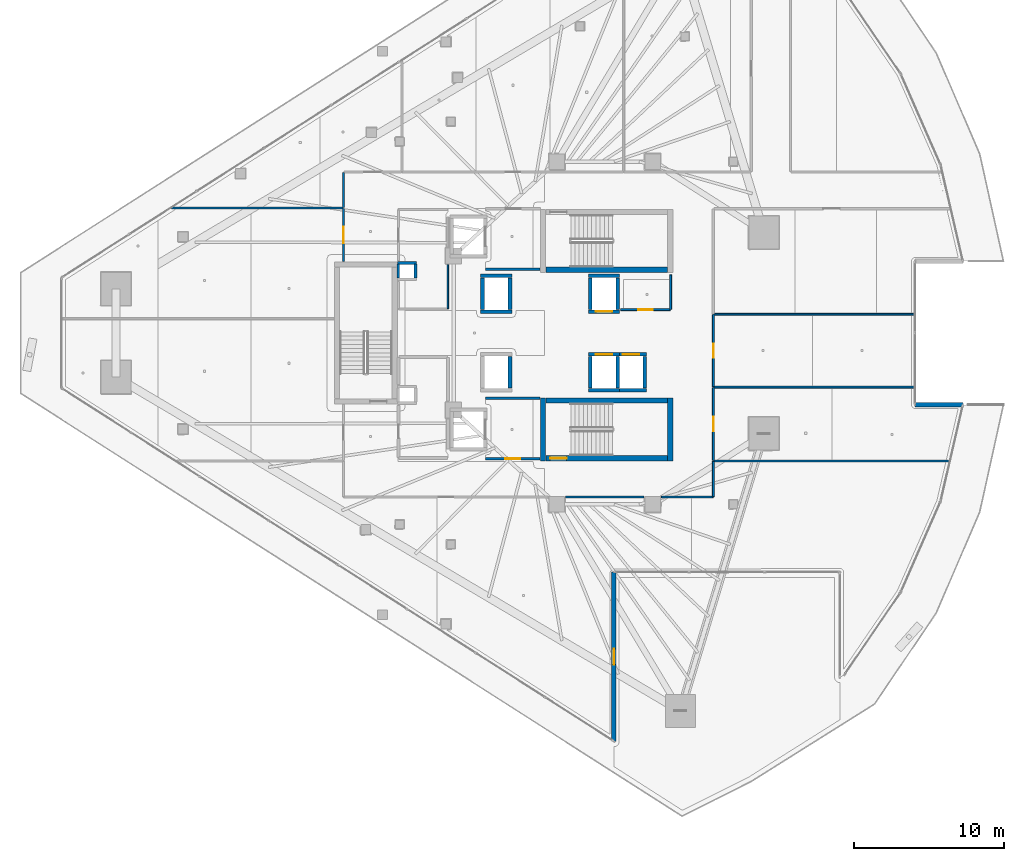
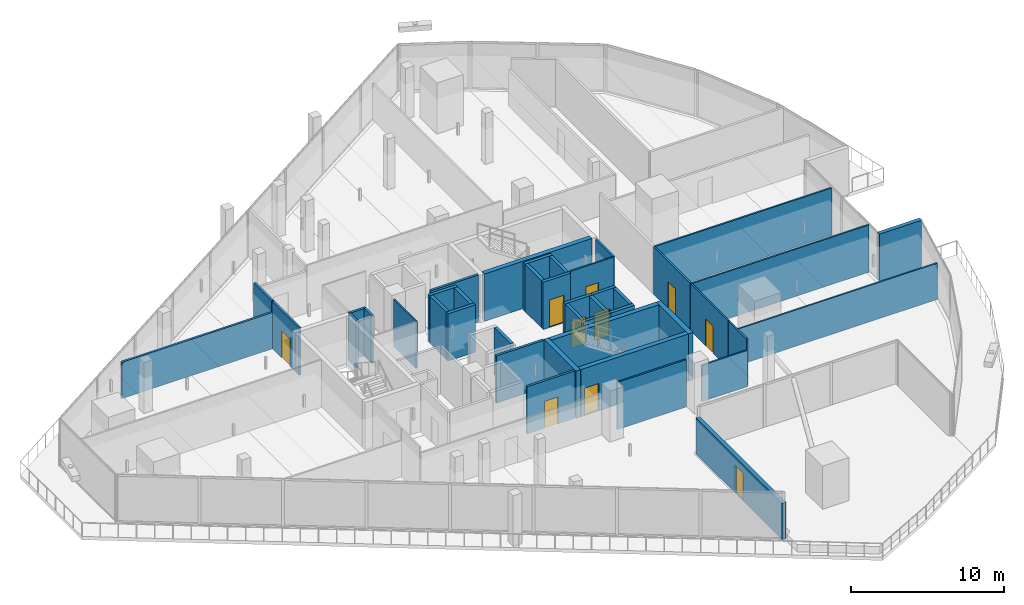
# One storey, part 27 of 39: 43 walls, 10 doors, 10 openings.
"""IFC4 building model written with IfcOpenShell, lengths in metres."""

from ifc_helpers import new_model, si_unit, direction, frame, frame_2d, origin, place, context, subcontext, project, spatial, rectangle, extrude, material, layer, layer_set, type_object, element, fill, save


model = new_model("IFC4")

# Units and contexts
model_context = context("Model", 3, precision=1e-05, world=origin(), true_north=direction((0.0, 1.0)))
body_context = subcontext(model_context, "Body", "Model", "MODEL_VIEW")
ifc_project = project(units=[si_unit("LENGTHUNIT", "METRE"), si_unit("AREAUNIT", "SQUARE_METRE"), si_unit("VOLUMEUNIT", "CUBIC_METRE"), si_unit("PLANEANGLEUNIT", "RADIAN"), si_unit("MASSUNIT", "GRAM", prefix="KILO")], contexts=[model_context])

# Site, building, storey
site_placement = place(None, origin())
site = spatial("IfcSite", under=ifc_project, at=site_placement, CompositionType="ELEMENT")
building_placement = place(site_placement, origin())
building = spatial("IfcBuilding", under=site, at=building_placement, Name="Qorvath Tower", CompositionType="ELEMENT")
storey_placement = place(building_placement, frame((0.0, 0.0, 154.35009765625)))
storey = spatial("IfcBuildingStorey", under=building, at=storey_placement, Name="L35", CompositionType="ELEMENT", Elevation=154.35009765625)

# Walls
ifc_material_1 = material(Name="Gypsum shaftliner on steel studs", Category="steel")
ifc_layer_1 = layer(ifc_material_1, 0.179931640625)
ifc_layer_set_1 = layer_set([ifc_layer_1], Name="FW-LOBBY")
wall_type_1 = type_object("IfcWallType", Name="FW-LOBBY", PredefinedType="PARTITIONING", material=ifc_layer_set_1)
wall_1_placement = place(storey_placement, frame((-34.260009765625, 4.675048828125, 0.0), z_axis=(0.0, 0.0, 1.0), x_axis=(1.0, 0.0, 0.0)))
element("IfcWall", 1, at=wall_1_placement, inside=storey, type_object=wall_type_1, Name="MEP Riser Shaft Enclosure Wall N-L35-N", PredefinedType="PARTITIONING", context=body_context, shape_type="SweptSolid", body=[
    extrude(rectangle(XDim=1.27001953125, YDim=0.179931640625, at=frame_2d((0.635009765625, 0.0))), origin(), (0.0, 0.0, 1.0), 3.77978515625),
])
for number, where, z_axis, x_axis, name in (
    (2, (-34.205078125, 3.659912109375, 0.0), (0.0, 0.0, 1.0), (0.0, 1.0, 0.0), "MEP Riser Shaft Enclosure Wall N-L35-W"),
    (3, (-33.044921875, 4.610107421875, 0.0), (0.0, 0.0, 1.0), (0.0, -1.0, 0.0), "MEP Riser Shaft Enclosure Wall N-L35-E"),
):
    element("IfcWall", number, at=place(storey_placement, frame(where, z_axis=z_axis, x_axis=x_axis)), inside=storey, type_object=wall_type_1, Name=name, PredefinedType="PARTITIONING", context=body_context, shape_type="SweptSolid", body=[
        extrude(rectangle(XDim=0.9501953125, YDim=0.179931640625, at=frame_2d((0.47509765625, 0.0))), origin(), (0.0, 0.0, 1.0), 3.77978515625),
    ])
wall_2_placement = place(storey_placement, frame((-28.35498046875, 4.25, 0.0), z_axis=(0.0, 0.0, 1.0), x_axis=(1.0, 0.0, 0.0)))
element("IfcWall", 4, at=wall_2_placement, inside=storey, type_object=wall_type_1, Name="Interior Partition IW-T1-L35-001", PredefinedType="PARTITIONING", context=body_context, shape_type="SweptSolid", body=[
    extrude(rectangle(XDim=3.6220703125, YDim=0.179931640625, at=frame_2d((1.81103515625, 0.0))), origin(), (0.0, 0.0, 1.0), 3.77978515625),
])

# Wall, opening, door
wall_3_placement = place(storey_placement, frame((-28.35498046875, -8.39990234375, 0.0), z_axis=(0.0, 0.0, 1.0), x_axis=(1.0, 0.0, 0.0)))
wall_3 = element("IfcWall", 5, at=wall_3_placement, inside=storey, type_object=wall_type_1, Name="Interior Partition IW-T1-L35-003", PredefinedType="PARTITIONING", context=body_context, shape_type="SweptSolid", body=[
    extrude(rectangle(XDim=3.6220703125, YDim=0.179931640625, at=frame_2d((1.81103515625, 0.0))), origin(), (0.0, 0.0, 1.0), 3.77978515625),
])
opening_1_placement = place(wall_3_placement, frame((1.31103515625, 0.0, 0.0)))
opening_1 = element("IfcOpeningElement", 6, at=opening_1_placement, cuts=wall_3, Name="Opening D-T1-L35-14", PredefinedType="OPENING", context=body_context, shape_type="SweptSolid", body=[
    extrude(rectangle(XDim=1.0, YDim=2.14990234375, at=frame_2d((0.5, 1.074951171875))), frame((0.0, 0.10009765625, 0.0), z_axis=(0.0, -1.0, 0.0), x_axis=(1.0, 0.0, 0.0)), (0.0, 0.0, 1.0), 0.199951171875),
])
ifc_material_2 = material(Name="Painted galvanised hollow metal", Category="steel")
door_type_1 = type_object("IfcDoorType", Name="FD-60", OperationType="NOTDEFINED", PredefinedType="DOOR", material=ifc_material_2)
door_1_placement = place(opening_1_placement, origin())
door_1 = element("IfcDoor", 7, at=door_1_placement, inside=storey, type_object=door_type_1, Name="Lobby Fire Service Elevator South Door D-T1-L35-14", OperationType="SINGLE_SWING_LEFT", OverallHeight=2.14990234375, OverallWidth=1.0, PredefinedType="DOOR", context=body_context, shape_type="SweptSolid", body=[
    extrude(rectangle(XDim=1.0, YDim=2.14990234375, at=frame_2d((0.5, 1.074951171875))), frame((0.0, 0.02490234375, 0.0), z_axis=(0.0, -1.0, 0.0), x_axis=(1.0, 0.0, 0.0)), (0.0, 0.0, 1.0), 0.050048828125),
])
fill(opening_1, door_1)

# Walls
wall_4_placement = place(storey_placement, frame((-24.73291015625, -4.35009765625, 0.0), z_axis=(0.0, 0.0, 1.0), x_axis=(-1.0, 0.0, 0.0)))
element("IfcWall", 8, at=wall_4_placement, inside=storey, type_object=wall_type_1, Name="Interior Partition IW-T1-L35-004", PredefinedType="PARTITIONING", context=body_context, shape_type="SweptSolid", body=[
    extrude(rectangle(XDim=3.6220703125, YDim=0.179931640625, at=frame_2d((1.81103515625, 0.0))), origin(), (0.0, 0.0, 1.0), 3.77978515625),
])
ifc_material_3 = material(Name="Double acoustic gypsum board on steel studs", Category="steel")
ifc_layer_2 = layer(ifc_material_3, 0.159912109375)
ifc_layer_set_2 = layer_set([ifc_layer_2], Name="IW-ACOUSTIC-160")
wall_type_2 = type_object("IfcWallType", Name="IW-ACOUSTIC-160", PredefinedType="PARTITIONING", material=ifc_layer_set_2)
wall_5_placement = place(storey_placement, frame((-49.333251953125, 8.35009765625, 0.0), z_axis=(0.0, 0.0, 1.0), x_axis=(1.0, 0.0, 0.0)))
element("IfcWall", 9, at=wall_5_placement, inside=storey, type_object=wall_type_2, Name="Interior Partition IW-T1-L35-019", PredefinedType="PARTITIONING", context=body_context, shape_type="SweptSolid", body=[
    extrude(rectangle(XDim=11.450439453125, YDim=0.159912109375, at=frame_2d((5.72509765625, 0.0))), origin(), (0.0, 0.0, 1.0), 2.899658203125),
])
wall_6_placement = place(storey_placement, frame((-37.85791015625, 8.375, 0.0), z_axis=(0.0, 0.0, 1.0), x_axis=(0.0, 1.0, 0.0)))
element("IfcWall", 10, at=wall_6_placement, inside=storey, type_object=wall_type_2, Name="Interior Partition IW-T1-L35-020", PredefinedType="PARTITIONING", context=body_context, shape_type="SweptSolid", body=[
    extrude(rectangle(XDim=2.358154296875, YDim=0.159912109375, at=frame_2d((1.17919921875, 0.0))), origin(), (0.0, 0.0, 1.0), 3.77978515625),
])

# Wall, opening, door
wall_7_placement = place(storey_placement, frame((-37.85791015625, 4.783203125, 0.0), z_axis=(0.0, 0.0, 1.0), x_axis=(0.0, 1.0, 0.0)))
wall_7 = element("IfcWall", 11, at=wall_7_placement, inside=storey, type_object=wall_type_2, Name="Interior Partition IW-T1-L35-046", PredefinedType="PARTITIONING", context=body_context, shape_type="SweptSolid", body=[
    extrude(rectangle(XDim=3.53369140625, YDim=0.159912109375, at=frame_2d((1.766845703125, 0.0))), origin(), (0.0, 0.0, 1.0), 3.77978515625),
])
opening_2_placement = place(wall_7_placement, frame((1.216796875, 0.0, 0.0)))
opening_2 = element("IfcOpeningElement", 12, at=opening_2_placement, cuts=wall_7, Name="Opening D-T1-L35-12", PredefinedType="OPENING", context=body_context, shape_type="SweptSolid", body=[
    extrude(rectangle(XDim=1.10009765625, YDim=2.14990234375, at=frame_2d((0.550048828125, 1.074951171875))), frame((0.0, 0.08984375, 0.0), z_axis=(0.0, -1.0, 0.0), x_axis=(1.0, 0.0, 0.0)), (0.0, 0.0, 1.0), 0.179931640625),
])
ifc_material_4 = material(Name="Anodised aluminium acoustic framed glass", Category="aluminium")
door_type_2 = type_object("IfcDoorType", Name="D-03", OperationType="NOTDEFINED", PredefinedType="DOOR", material=ifc_material_4)
door_2_placement = place(opening_2_placement, origin())
door_2 = element("IfcDoor", 13, at=door_2_placement, inside=storey, type_object=door_type_2, Name="L35-09 Team Project Office Door D-T1-L35-12", OperationType="SINGLE_SWING_LEFT", OverallHeight=2.14990234375, OverallWidth=1.10009765625, PredefinedType="DOOR", context=body_context, shape_type="SweptSolid", body=[
    extrude(rectangle(XDim=1.10009765625, YDim=2.14990234375, at=frame_2d((0.550048828125, 1.074951171875))), frame((0.0, 0.02490234375, 0.0), z_axis=(0.0, -1.0, 0.0), x_axis=(1.0, 0.0, 0.0)), (0.0, 0.0, 1.0), 0.050048828125),
])
fill(opening_2, door_2)

ifc_material_5 = material(Name="Gypsum board on metal studs with mineral wool", Category="gypsum")
ifc_layer_3 = layer(ifc_material_5, 0.125)
ifc_layer_set_3 = layer_set([ifc_layer_3], Name="IW-PART-125")
wall_type_3 = type_object("IfcWallType", Name="IW-PART-125", PredefinedType="PARTITIONING", material=ifc_layer_set_3)
wall_8_placement = place(storey_placement, frame((-19.333740234375, 1.56005859375, 0.0), z_axis=(0.0, 0.0, 1.0), x_axis=(1.0, 0.0, 0.0)))
wall_8 = element("IfcWall", 14, at=wall_8_placement, inside=storey, type_object=wall_type_3, Name="Interior Partition IW-T1-L35-011", PredefinedType="PARTITIONING", context=body_context, shape_type="SweptSolid", body=[
    extrude(rectangle(XDim=3.308837890625, YDim=0.125, at=frame_2d((1.654296875, 0.0))), origin(), (0.0, 0.0, 1.0), 3.77978515625),
])
opening_3_placement = place(wall_8_placement, frame((1.179443359375, 0.0, 0.0)))
opening_3 = element("IfcOpeningElement", 15, at=opening_3_placement, cuts=wall_8, Name="Opening D-T1-L35-02", PredefinedType="OPENING", context=body_context, shape_type="SweptSolid", body=[
    extrude(rectangle(XDim=0.949951171875, YDim=2.14990234375, at=frame_2d((0.47509765625, 1.074951171875))), frame((0.0, 0.072509765625, 0.0), z_axis=(0.0, -1.0, 0.0), x_axis=(1.0, 0.0, 0.0)), (0.0, 0.0, 1.0), 0.14501953125),
])
ifc_material_6 = material(Name="Solid-core American white oak veneer", Category="wood")
door_type_3 = type_object("IfcDoorType", Name="D-01", OperationType="NOTDEFINED", PredefinedType="DOOR", material=ifc_material_6)
door_3_placement = place(opening_3_placement, origin())
door_3 = element("IfcDoor", 16, at=door_3_placement, inside=storey, type_object=door_type_3, Name="L35-RCN North Staff Refreshment Pantry Door D-T1-L35-02", OperationType="SINGLE_SWING_LEFT", OverallHeight=2.14990234375, OverallWidth=0.949951171875, PredefinedType="DOOR", context=body_context, shape_type="SweptSolid", body=[
    extrude(rectangle(XDim=0.949951171875, YDim=2.14990234375, at=frame_2d((0.47509765625, 1.074951171875))), frame((0.0, 0.02490234375, 0.0), z_axis=(0.0, -1.0, 0.0), x_axis=(1.0, 0.0, 0.0)), (0.0, 0.0, 1.0), 0.050048828125),
])
fill(opening_3, door_3)

# Walls
wall_9_placement = place(storey_placement, frame((-16.0, 1.585205078125, 0.0), z_axis=(0.0, 0.0, 1.0), x_axis=(0.0, 1.0, 0.0)))
element("IfcWall", 17, at=wall_9_placement, inside=storey, type_object=wall_type_3, Name="Interior Partition IW-T1-L35-012", PredefinedType="PARTITIONING", context=body_context, shape_type="SweptSolid", body=[
    extrude(rectangle(XDim=2.30224609375, YDim=0.125, at=frame_2d((1.151123046875, 0.0))), origin(), (0.0, 0.0, 1.0), 3.77978515625),
])
wall_10_placement = place(storey_placement, frame((2.5869140625, -8.550048828125, 0.0), z_axis=(0.0, 0.0, 1.0), x_axis=(-1.0, 0.0, 0.0)))
element("IfcWall", 18, at=wall_10_placement, inside=storey, type_object=wall_type_3, Name="Interior Partition IW-T1-L35-031", PredefinedType="PARTITIONING", context=body_context, shape_type="SweptSolid", body=[
    extrude(rectangle(XDim=15.7041015625, YDim=0.125, at=frame_2d((7.85205078125, 0.0))), origin(), (0.0, 0.0, 1.0), 2.894775390625),
])
wall_11_placement = place(storey_placement, frame((-13.14208984375, -10.93310546875, 0.0), z_axis=(0.0, 0.0, 1.0), x_axis=(0.0, 1.0, 0.0)))
element("IfcWall", 19, at=wall_11_placement, inside=storey, type_object=wall_type_3, Name="Interior Partition IW-T1-L35-032", PredefinedType="PARTITIONING", context=body_context, shape_type="SweptSolid", body=[
    extrude(rectangle(XDim=2.358154296875, YDim=0.125, at=frame_2d((1.17919921875, 0.0))), origin(), (0.0, 0.0, 1.0), 3.77978515625),
])
wall_12_placement = place(storey_placement, frame((-13.1669921875, -10.9580078125, 0.0), z_axis=(0.0, 0.0, 1.0), x_axis=(-1.0, 0.0, 0.0)))
element("IfcWall", 20, at=wall_12_placement, inside=storey, type_object=wall_type_3, Name="Interior Partition IW-T1-L35-033", PredefinedType="PARTITIONING", context=body_context, shape_type="SweptSolid", body=[
    extrude(rectangle(XDim=3.443115234375, YDim=0.125, at=frame_2d((1.7216796875, 0.0))), origin(), (0.0, 0.0, 1.0), 2.894775390625),
])
wall_13_placement = place(storey_placement, frame((-17.7900390625, -10.9580078125, 0.0), z_axis=(0.0, 0.0, 1.0), x_axis=(-1.0, 0.0, 0.0)))
element("IfcWall", 21, at=wall_13_placement, inside=storey, type_object=wall_type_3, Name="Interior Partition IW-T1-L35-034", PredefinedType="PARTITIONING", context=body_context, shape_type="SweptSolid", body=[
    extrude(rectangle(XDim=5.219970703125, YDim=0.125, at=frame_2d((2.60986328125, 0.0))), origin(), (0.0, 0.0, 1.0), 3.77978515625),
])
wall_14_placement = place(storey_placement, frame((0.259765625, -3.618896484375, 0.0), z_axis=(0.0, 0.0, 1.0), x_axis=(-1.0, 0.0, 0.0)))
element("IfcWall", 22, at=wall_14_placement, inside=storey, type_object=wall_type_3, Name="Interior Partition IW-T1-L35-038", PredefinedType="PARTITIONING", context=body_context, shape_type="SweptSolid", body=[
    extrude(rectangle(XDim=13.376953125, YDim=0.125, at=frame_2d((6.6884765625, 0.0))), origin(), (0.0, 0.0, 1.0), 3.77978515625),
])

# Wall, opening, door
wall_15_placement = place(storey_placement, frame((-13.14208984375, -3.643798828125, 0.0), z_axis=(0.0, 0.0, 1.0), x_axis=(0.0, -1.0, 0.0)))
wall_15 = element("IfcWall", 23, at=wall_15_placement, inside=storey, type_object=wall_type_3, Name="Interior Partition IW-T1-L35-039", PredefinedType="PARTITIONING", context=body_context, shape_type="SweptSolid", body=[
    extrude(rectangle(XDim=4.873291015625, YDim=0.125, at=frame_2d((2.4365234375, 0.0))), origin(), (0.0, 0.0, 1.0), 3.77978515625),
])
opening_4_placement = place(wall_15_placement, frame((1.961669921875, 0.0, 0.0)))
opening_4 = element("IfcOpeningElement", 24, at=opening_4_placement, cuts=wall_15, Name="Opening D-T1-L35-08", PredefinedType="OPENING", context=body_context, shape_type="SweptSolid", body=[
    extrude(rectangle(XDim=0.949951171875, YDim=2.14990234375, at=frame_2d((0.47509765625, 1.074951171875))), frame((0.0, 0.072509765625, 0.0), z_axis=(0.0, -1.0, 0.0), x_axis=(1.0, 0.0, 0.0)), (0.0, 0.0, 1.0), 0.14501953125),
])
door_4_placement = place(opening_4_placement, origin())
door_4 = element("IfcDoor", 25, at=door_4_placement, inside=storey, type_object=door_type_3, Name="L35-05 Executive Partner Office Door D-T1-L35-08", OperationType="SINGLE_SWING_LEFT", OverallHeight=2.14990234375, OverallWidth=0.949951171875, PredefinedType="DOOR", context=body_context, shape_type="SweptSolid", body=[
    extrude(rectangle(XDim=0.949951171875, YDim=2.14990234375, at=frame_2d((0.47509765625, 1.074951171875))), frame((0.0, 0.02490234375, 0.0), z_axis=(0.0, -1.0, 0.0), x_axis=(1.0, 0.0, 0.0)), (0.0, 0.0, 1.0), 0.050048828125),
])
fill(opening_4, door_4)

wall_16_placement = place(storey_placement, frame((-13.14208984375, 1.227294921875, 0.0), z_axis=(0.0, 0.0, 1.0), x_axis=(0.0, -1.0, 0.0)))
wall_16 = element("IfcWall", 26, at=wall_16_placement, inside=storey, type_object=wall_type_3, Name="Interior Partition IW-T1-L35-040", PredefinedType="PARTITIONING", context=body_context, shape_type="SweptSolid", body=[
    extrude(rectangle(XDim=4.81298828125, YDim=0.125, at=frame_2d((2.406494140625, 0.0))), origin(), (0.0, 0.0, 1.0), 3.77978515625),
])
opening_5_placement = place(wall_16_placement, frame((1.931396484375, 0.0, 0.0)))
opening_5 = element("IfcOpeningElement", 27, at=opening_5_placement, cuts=wall_16, Name="Opening D-T1-L35-09", PredefinedType="OPENING", context=body_context, shape_type="SweptSolid", body=[
    extrude(rectangle(XDim=0.949951171875, YDim=2.14990234375, at=frame_2d((0.47509765625, 1.074951171875))), frame((0.0, 0.072509765625, 0.0), z_axis=(0.0, -1.0, 0.0), x_axis=(1.0, 0.0, 0.0)), (0.0, 0.0, 1.0), 0.14501953125),
])
door_5_placement = place(opening_5_placement, origin())
door_5 = element("IfcDoor", 28, at=door_5_placement, inside=storey, type_object=door_type_3, Name="L35-06 Breakout Reading Alcove Door D-T1-L35-09", OperationType="SINGLE_SWING_RIGHT", OverallHeight=2.14990234375, OverallWidth=0.949951171875, PredefinedType="DOOR", context=body_context, shape_type="SweptSolid", body=[
    extrude(rectangle(XDim=0.949951171875, YDim=2.14990234375, at=frame_2d((0.47509765625, 1.074951171875))), frame((0.0, 0.02490234375, 0.0), z_axis=(0.0, -1.0, 0.0), x_axis=(1.0, 0.0, 0.0)), (0.0, 0.0, 1.0), 0.050048828125),
])
fill(opening_5, door_5)

# Walls
wall_17_placement = place(storey_placement, frame((0.259765625, 1.25244140625, 0.0), z_axis=(0.0, 0.0, 1.0), x_axis=(-1.0, 0.0, 0.0)))
element("IfcWall", 29, at=wall_17_placement, inside=storey, type_object=wall_type_3, Name="Interior Partition IW-T1-L35-041", PredefinedType="PARTITIONING", context=body_context, shape_type="SweptSolid", body=[
    extrude(rectangle(XDim=13.376953125, YDim=0.125, at=frame_2d((6.6884765625, 0.0))), origin(), (0.0, 0.0, 1.0), 3.77978515625),
])
ifc_material_7 = material(Name="Moisture-resistant cement board on metal studs", Category="gypsum")
ifc_layer_4 = layer(ifc_material_7, 0.110107421875)
ifc_layer_set_4 = layer_set([ifc_layer_4], Name="IW-WC-110")
wall_type_4 = type_object("IfcWallType", Name="IW-WC-110", PredefinedType="PARTITIONING", material=ifc_layer_set_4)
wall_18_placement = place(storey_placement, frame((-30.8798828125, 1.625, 0.0), z_axis=(0.0, 0.0, 1.0), x_axis=(0.0, 1.0, 0.0)))
element("IfcWall", 30, at=wall_18_placement, inside=storey, type_object=wall_type_4, Name="Interior Partition IW-T1-L35-006", PredefinedType="PARTITIONING", context=body_context, shape_type="SweptSolid", body=[
    extrude(rectangle(XDim=2.93505859375, YDim=0.110107421875, at=frame_2d((1.467529296875, 0.0))), origin(), (0.0, 0.0, 1.0), 3.77978515625),
])
ifc_material_8 = material(Name="Concrete C60/75", Category="concrete")
ifc_layer_5 = layer(ifc_material_8, 0.260009765625)
ifc_layer_set_5 = layer_set([ifc_layer_5], Name="SW-SHAFT")
wall_type_5 = type_object("IfcWallType", Name="SW-SHAFT", PredefinedType="SHEAR", material=ifc_layer_set_5)
for number, where, z_axis, x_axis, name in (
    (31, (-26.610107421875, 1.429931640625, 0.0), (0.0, 0.0, 1.0), (-1.0, 0.0, 0.0), "Hoistway Wall PS-1 L35 S"),
    (32, (-28.68994140625, 3.820068359375, 0.0), (0.0, 0.0, 1.0), (1.0, 0.0, 0.0), "Hoistway Wall PS-1 L35 N"),
):
    element("IfcWall", number, at=place(storey_placement, frame(where, z_axis=z_axis, x_axis=x_axis)), inside=storey, type_object=wall_type_5, Name=name, PredefinedType="SHEAR", context=body_context, shape_type="SweptSolid", body=[
        extrude(rectangle(XDim=2.079833984375, YDim=0.239990234375, at=frame_2d((1.0400390625, 0.0))), origin(), (0.0, 0.0, 1.0), 3.77978515625),
    ])
for number, where, z_axis, x_axis, name in (
    (33, (-28.570068359375, 1.56201171875, 0.0), (0.0, 0.0, 1.0), (0.0, 1.0, 0.0), "Hoistway Wall PS-1 L35 W"),
    (34, (-26.72998046875, 3.68798828125, 0.0), (0.0, 0.0, 1.0), (0.0, -1.0, 0.0), "Hoistway Wall PS-1 L35 E"),
):
    element("IfcWall", number, at=place(storey_placement, frame(where, z_axis=z_axis, x_axis=x_axis)), inside=storey, type_object=wall_type_5, Name=name, PredefinedType="SHEAR", context=body_context, shape_type="SweptSolid", body=[
        extrude(rectangle(XDim=2.1259765625, YDim=0.239990234375, at=frame_2d((1.06298828125, 0.0))), origin(), (0.0, 0.0, 1.0), 3.77978515625),
    ])

# Wall, opening, door
wall_19_placement = place(storey_placement, frame((-19.409912109375, 1.429931640625, 0.0), z_axis=(0.0, 0.0, 1.0), x_axis=(-1.0, 0.0, 0.0)))
wall_19 = element("IfcWall", 35, at=wall_19_placement, inside=storey, type_object=wall_type_5, Name="Hoistway Wall PM-1 L35 S", PredefinedType="SHEAR", context=body_context, shape_type="SweptSolid", body=[
    extrude(rectangle(XDim=2.080078125, YDim=0.239990234375, at=frame_2d((1.0400390625, 0.0))), origin(), (0.0, 0.0, 1.0), 3.77978515625),
])
opening_6_placement = place(wall_19_placement, frame((0.489990234375, 0.0, 0.0)))
opening_6 = element("IfcOpeningElement", 36, at=opening_6_placement, cuts=wall_19, Name="Opening LD-PM-1-L35", PredefinedType="OPENING", context=body_context, shape_type="SweptSolid", body=[
    extrude(rectangle(XDim=1.10009765625, YDim=2.199951171875, at=frame_2d((0.550048828125, 1.10009765625))), frame((0.0, 0.1298828125, 0.0), z_axis=(0.0, -1.0, 0.0), x_axis=(1.0, 0.0, 0.0)), (0.0, 0.0, 1.0), 0.260009765625),
])
ifc_material_9 = material(Name="Brushed stainless steel AISI 316", Category="steel")
door_type_4 = type_object("IfcDoorType", Name="LD-01", OperationType="NOTDEFINED", PredefinedType="DOOR", material=ifc_material_9)
door_6_placement = place(opening_6_placement, origin())
door_6 = element("IfcDoor", 37, at=door_6_placement, inside=storey, type_object=door_type_4, Name="Elevator Landing Sliding Door LD-PM-1-L35", OperationType="DOUBLE_DOOR_SLIDING", OverallHeight=2.199951171875, OverallWidth=1.10009765625, PredefinedType="DOOR", context=body_context, shape_type="SweptSolid", body=[
    extrude(rectangle(XDim=1.10009765625, YDim=2.199951171875, at=frame_2d((0.550048828125, 1.10009765625))), frame((0.0, 0.02490234375, 0.0), z_axis=(0.0, -1.0, 0.0), x_axis=(1.0, 0.0, 0.0)), (0.0, 0.0, 1.0), 0.050048828125),
])
fill(opening_6, door_6)

# Walls
wall_20_placement = place(storey_placement, frame((-21.489990234375, 3.820068359375, 0.0), z_axis=(0.0, 0.0, 1.0), x_axis=(1.0, 0.0, 0.0)))
element("IfcWall", 38, at=wall_20_placement, inside=storey, type_object=wall_type_5, Name="Hoistway Wall PM-1 L35 N", PredefinedType="SHEAR", context=body_context, shape_type="SweptSolid", body=[
    extrude(rectangle(XDim=2.080078125, YDim=0.239990234375, at=frame_2d((1.0400390625, 0.0))), origin(), (0.0, 0.0, 1.0), 3.77978515625),
])
for number, where, z_axis, x_axis, name in (
    (39, (-21.3701171875, 1.56201171875, 0.0), (0.0, 0.0, 1.0), (0.0, 1.0, 0.0), "Hoistway Wall PM-1 L35 W"),
    (40, (-19.530029296875, 3.68798828125, 0.0), (0.0, 0.0, 1.0), (0.0, -1.0, 0.0), "Hoistway Wall PM-1 L35 E"),
    (41, (-26.72998046875, -1.56201171875, 0.0), (0.0, 0.0, 1.0), (0.0, -1.0, 0.0), "Hoistway Wall PS-2 L35 E"),
):
    element("IfcWall", number, at=place(storey_placement, frame(where, z_axis=z_axis, x_axis=x_axis)), inside=storey, type_object=wall_type_5, Name=name, PredefinedType="SHEAR", context=body_context, shape_type="SweptSolid", body=[
        extrude(rectangle(XDim=2.1259765625, YDim=0.239990234375, at=frame_2d((1.06298828125, 0.0))), origin(), (0.0, 0.0, 1.0), 3.77978515625),
    ])
wall_21_placement = place(storey_placement, frame((-19.409912109375, -3.820068359375, 0.0), z_axis=(0.0, 0.0, 1.0), x_axis=(-1.0, 0.0, 0.0)))
element("IfcWall", 42, at=wall_21_placement, inside=storey, type_object=wall_type_5, Name="Hoistway Wall PM-2 L35 S", PredefinedType="SHEAR", context=body_context, shape_type="SweptSolid", body=[
    extrude(rectangle(XDim=2.080078125, YDim=0.239990234375, at=frame_2d((1.0400390625, 0.0))), origin(), (0.0, 0.0, 1.0), 3.77978515625),
])

# Wall, opening, door
wall_22_placement = place(storey_placement, frame((-21.489990234375, -1.429931640625, 0.0), z_axis=(0.0, 0.0, 1.0), x_axis=(1.0, 0.0, 0.0)))
wall_22 = element("IfcWall", 43, at=wall_22_placement, inside=storey, type_object=wall_type_5, Name="Hoistway Wall PM-2 L35 N", PredefinedType="SHEAR", context=body_context, shape_type="SweptSolid", body=[
    extrude(rectangle(XDim=2.080078125, YDim=0.239990234375, at=frame_2d((1.0400390625, 0.0))), origin(), (0.0, 0.0, 1.0), 3.77978515625),
])
opening_7_placement = place(wall_22_placement, frame((0.489990234375, 0.0, 0.0)))
opening_7 = element("IfcOpeningElement", 44, at=opening_7_placement, cuts=wall_22, Name="Opening LD-PM-2-L35", PredefinedType="OPENING", context=body_context, shape_type="SweptSolid", body=[
    extrude(rectangle(XDim=1.10009765625, YDim=2.199951171875, at=frame_2d((0.550048828125, 1.10009765625))), frame((0.0, 0.1298828125, 0.0), z_axis=(0.0, -1.0, 0.0), x_axis=(1.0, 0.0, 0.0)), (0.0, 0.0, 1.0), 0.260009765625),
])
door_7_placement = place(opening_7_placement, origin())
door_7 = element("IfcDoor", 45, at=door_7_placement, inside=storey, type_object=door_type_4, Name="Elevator Landing Sliding Door LD-PM-2-L35", OperationType="DOUBLE_DOOR_SLIDING", OverallHeight=2.199951171875, OverallWidth=1.10009765625, PredefinedType="DOOR", context=body_context, shape_type="SweptSolid", body=[
    extrude(rectangle(XDim=1.10009765625, YDim=2.199951171875, at=frame_2d((0.550048828125, 1.10009765625))), frame((0.0, 0.02490234375, 0.0), z_axis=(0.0, -1.0, 0.0), x_axis=(1.0, 0.0, 0.0)), (0.0, 0.0, 1.0), 0.050048828125),
])
fill(opening_7, door_7)

# Walls
for number, where, z_axis, x_axis, name in (
    (46, (-21.3701171875, -3.68798828125, 0.0), (0.0, 0.0, 1.0), (0.0, 1.0, 0.0), "Hoistway Wall PM-2 L35 W"),
    (47, (-19.530029296875, -1.56201171875, 0.0), (0.0, 0.0, 1.0), (0.0, -1.0, 0.0), "Hoistway Wall PM-2 L35 E"),
):
    element("IfcWall", number, at=place(storey_placement, frame(where, z_axis=z_axis, x_axis=x_axis)), inside=storey, type_object=wall_type_5, Name=name, PredefinedType="SHEAR", context=body_context, shape_type="SweptSolid", body=[
        extrude(rectangle(XDim=2.1259765625, YDim=0.239990234375, at=frame_2d((1.06298828125, 0.0))), origin(), (0.0, 0.0, 1.0), 3.77978515625),
    ])
wall_23_placement = place(storey_placement, frame((-17.610107421875, -3.820068359375, 0.0), z_axis=(0.0, 0.0, 1.0), x_axis=(-1.0, 0.0, 0.0)))
element("IfcWall", 48, at=wall_23_placement, inside=storey, type_object=wall_type_5, Name="Hoistway Wall PM-3 L35 S", PredefinedType="SHEAR", context=body_context, shape_type="SweptSolid", body=[
    extrude(rectangle(XDim=1.7998046875, YDim=0.239990234375, at=frame_2d((0.89990234375, 0.0))), origin(), (0.0, 0.0, 1.0), 3.77978515625),
])

# Wall, opening, door
wall_24_placement = place(storey_placement, frame((-19.409912109375, -1.429931640625, 0.0), z_axis=(0.0, 0.0, 1.0), x_axis=(1.0, 0.0, 0.0)))
wall_24 = element("IfcWall", 49, at=wall_24_placement, inside=storey, type_object=wall_type_5, Name="Hoistway Wall PM-3 L35 N", PredefinedType="SHEAR", context=body_context, shape_type="SweptSolid", body=[
    extrude(rectangle(XDim=1.7998046875, YDim=0.239990234375, at=frame_2d((0.89990234375, 0.0))), origin(), (0.0, 0.0, 1.0), 3.77978515625),
])
opening_8_placement = place(wall_24_placement, frame((0.2099609375, 0.0, 0.0)))
opening_8 = element("IfcOpeningElement", 50, at=opening_8_placement, cuts=wall_24, Name="Opening LD-PM-3-L35", PredefinedType="OPENING", context=body_context, shape_type="SweptSolid", body=[
    extrude(rectangle(XDim=1.10009765625, YDim=2.199951171875, at=frame_2d((0.550048828125, 1.10009765625))), frame((0.0, 0.1298828125, 0.0), z_axis=(0.0, -1.0, 0.0), x_axis=(1.0, 0.0, 0.0)), (0.0, 0.0, 1.0), 0.260009765625),
])
door_8_placement = place(opening_8_placement, origin())
door_8 = element("IfcDoor", 51, at=door_8_placement, inside=storey, type_object=door_type_4, Name="Elevator Landing Sliding Door LD-PM-3-L35", OperationType="DOUBLE_DOOR_SLIDING", OverallHeight=2.199951171875, OverallWidth=1.10009765625, PredefinedType="DOOR", context=body_context, shape_type="SweptSolid", body=[
    extrude(rectangle(XDim=1.10009765625, YDim=2.199951171875, at=frame_2d((0.550048828125, 1.10009765625))), frame((0.0, 0.02490234375, 0.0), z_axis=(0.0, -1.0, 0.0), x_axis=(1.0, 0.0, 0.0)), (0.0, 0.0, 1.0), 0.050048828125),
])
fill(opening_8, door_8)

# Walls
wall_25_placement = place(storey_placement, frame((-17.72998046875, -1.56201171875, 0.0), z_axis=(0.0, 0.0, 1.0), x_axis=(0.0, -1.0, 0.0)))
element("IfcWall", 52, at=wall_25_placement, inside=storey, type_object=wall_type_5, Name="Hoistway Wall PM-3 L35 E", PredefinedType="SHEAR", context=body_context, shape_type="SweptSolid", body=[
    extrude(rectangle(XDim=2.1259765625, YDim=0.239990234375, at=frame_2d((1.06298828125, 0.0))), origin(), (0.0, 0.0, 1.0), 3.77978515625),
])
ifc_material_10 = material(Name="Concrete C60/75", Category="concrete")
ifc_layer_6 = layer(ifc_material_10, 0.35009765625)
ifc_layer_set_6 = layer_set([ifc_layer_6], Name="SW-STAIR")
wall_type_6 = type_object("IfcWallType", Name="SW-STAIR", PredefinedType="SHEAR", material=ifc_layer_set_6)
wall_26_placement = place(storey_placement, frame((-24.3349609375, 4.22509765625, 0.0), z_axis=(0.0, 0.0, 1.0), x_axis=(1.0, 0.0, 0.0)))
element("IfcWall", 53, at=wall_26_placement, inside=storey, type_object=wall_type_6, Name="Stair TS1 Shear Wall L35 LEFT", PredefinedType="SHEAR", context=body_context, shape_type="SweptSolid", body=[
    extrude(rectangle(XDim=8.119873046875, YDim=0.35009765625, at=frame_2d((4.06005859375, 0.0))), origin(), (0.0, 0.0, 1.0), 3.77978515625),
])
for number, where, z_axis, x_axis, name in (
    (54, (-24.52490234375, -4.340087890625, 0.0), (0.0, 0.0, 1.0), (0.0, -1.0, 0.0), "Stair TS2 Shear Wall L35 NEAR"),
    (55, (-16.02490234375, -8.550048828125, 0.0), (0.0, 0.0, 1.0), (0.0, 1.0, 0.0), "Stair TS2 Shear Wall L35 FAR"),
):
    element("IfcWall", number, at=place(storey_placement, frame(where, z_axis=z_axis, x_axis=x_axis)), inside=storey, type_object=wall_type_6, Name=name, PredefinedType="SHEAR", context=body_context, shape_type="SweptSolid", body=[
        extrude(rectangle(XDim=4.2099609375, YDim=0.35009765625, at=frame_2d((2.10498046875, 0.0))), origin(), (0.0, 0.0, 1.0), 3.77978515625),
    ])

# Wall, opening, door
wall_27_placement = place(storey_placement, frame((-24.3349609375, -8.375, 0.0), z_axis=(0.0, 0.0, 1.0), x_axis=(1.0, 0.0, 0.0)))
wall_27 = element("IfcWall", 56, at=wall_27_placement, inside=storey, type_object=wall_type_6, Name="Stair TS2 Shear Wall L35 LEFT", PredefinedType="SHEAR", context=body_context, shape_type="SweptSolid", body=[
    extrude(rectangle(XDim=8.119873046875, YDim=0.35009765625, at=frame_2d((4.06005859375, 0.0))), origin(), (0.0, 0.0, 1.0), 3.77978515625),
])
opening_9_placement = place(wall_27_placement, frame((0.280029296875, 0.0, 0.0)))
opening_9 = element("IfcOpeningElement", 57, at=opening_9_placement, cuts=wall_27, Name="Opening D-TS2-L35", PredefinedType="OPENING", context=body_context, shape_type="SweptSolid", body=[
    extrude(rectangle(XDim=1.10009765625, YDim=2.199951171875, at=frame_2d((0.550048828125, 1.10009765625))), frame((0.0, 0.18505859375, 0.0), z_axis=(0.0, -1.0, 0.0), x_axis=(1.0, 0.0, 0.0)), (0.0, 0.0, 1.0), 0.3701171875),
])
ifc_material_11 = material(Name="Painted galvanised hollow metal", Category="steel")
door_type_5 = type_object("IfcDoorType", Name="FD-90", OperationType="NOTDEFINED", PredefinedType="DOOR", material=ifc_material_11)
door_9_placement = place(opening_9_placement, origin())
door_9 = element("IfcDoor", 58, at=door_9_placement, inside=storey, type_object=door_type_5, Name="Stair TS2 Fire Door L35", OperationType="SINGLE_SWING_RIGHT", OverallHeight=2.199951171875, OverallWidth=1.10009765625, PredefinedType="DOOR", context=body_context, shape_type="SweptSolid", body=[
    extrude(rectangle(XDim=1.10009765625, YDim=2.199951171875, at=frame_2d((0.550048828125, 1.10009765625))), frame((0.0, 0.02490234375, 0.0), z_axis=(0.0, -1.0, 0.0), x_axis=(1.0, 0.0, 0.0)), (0.0, 0.0, 1.0), 0.050048828125),
])
fill(opening_9, door_9)

# Wall
wall_28_placement = place(storey_placement, frame((-16.215087890625, -4.514892578125, 0.0), z_axis=(0.0, 0.0, 1.0), x_axis=(-1.0, 0.0, 0.0)))
element("IfcWall", 59, at=wall_28_placement, inside=storey, type_object=wall_type_6, Name="Stair TS2 Shear Wall L35 RIGHT", PredefinedType="SHEAR", context=body_context, shape_type="SweptSolid", body=[
    extrude(rectangle(XDim=8.119873046875, YDim=0.35009765625, at=frame_2d((4.06005859375, 0.0))), origin(), (0.0, 0.0, 1.0), 3.77978515625),
])

# Wall, opening, door
ifc_material_12 = material(Name="Precast concrete C45/55", Category="concrete")
ifc_layer_7 = layer(ifc_material_12, 0.300048828125)
ifc_layer_set_7 = layer_set([ifc_layer_7], Name="WL-EW-LOG-300")
wall_type_7 = type_object("IfcWallType", Name="WL-EW-LOG-300", PredefinedType="SOLIDWALL", material=ifc_layer_set_7)
wall_29_placement = place(storey_placement, frame((-19.783935546875, -15.98388671875, 0.0), z_axis=(0.0, 0.0, 1.0), x_axis=(0.0, -1.0, 0.0)))
wall_29 = element("IfcWall", 60, at=wall_29_placement, inside=storey, type_object=wall_type_7, Name="Tower Precast Loggia Wall L35-1.1", PredefinedType="SOLIDWALL", context=body_context, shape_type="SweptSolid", body=[
    extrude(rectangle(XDim=11.30322265625, YDim=0.300048828125, at=frame_2d((5.651611328125, 0.0))), origin(), (0.0, 0.0, 1.0), 2.894775390625),
])
opening_10_placement = place(wall_29_placement, frame((5.126708984375, 0.0, 0.0)))
opening_10 = element("IfcOpeningElement", 61, at=opening_10_placement, cuts=wall_29, Name="Opening ED-L35-01", PredefinedType="OPENING", context=body_context, shape_type="SweptSolid", body=[
    extrude(rectangle(XDim=1.050048828125, YDim=2.199951171875, at=frame_2d((0.52490234375, 1.10009765625))), frame((0.0, 0.16015625, 0.0), z_axis=(0.0, -1.0, 0.0), x_axis=(1.0, 0.0, 0.0)), (0.0, 0.0, 1.0), 0.320068359375),
])
ifc_material_13 = material(Name="Thermally broken aluminium glazed door", Category="aluminium")
door_type_6 = type_object("IfcDoorType", Name="ED-LOG", OperationType="NOTDEFINED", PredefinedType="DOOR", material=ifc_material_13)
door_10_placement = place(opening_10_placement, origin())
door_10 = element("IfcDoor", 62, at=door_10_placement, inside=storey, type_object=door_type_6, Name="L35 Recessed Loggia Access Door 1", OperationType="SINGLE_SWING_LEFT", OverallHeight=2.199951171875, OverallWidth=1.050048828125, PredefinedType="DOOR", context=body_context, shape_type="SweptSolid", body=[
    extrude(rectangle(XDim=1.050048828125, YDim=2.199951171875, at=frame_2d((0.52490234375, 1.10009765625))), frame((0.0, 0.02490234375, 0.0), z_axis=(0.0, -1.0, 0.0), x_axis=(1.0, 0.0, 0.0)), (0.0, 0.0, 1.0), 0.050048828125),
])
fill(opening_10, door_10)

# Wall
wall_30_placement = place(storey_placement, frame((3.53662109375, -4.795166015625, 0.0), z_axis=(0.0, 0.0, 1.0), x_axis=(-1.0, 0.0, 0.0)))
element("IfcWall", 63, at=wall_30_placement, inside=storey, type_object=wall_type_7, Name="Tower Precast Loggia Wall L35-8.1", PredefinedType="SOLIDWALL", context=body_context, shape_type="SweptSolid", body=[
    extrude(rectangle(XDim=3.19677734375, YDim=0.300048828125, at=frame_2d((1.598388671875, 0.0))), origin(), (0.0, 0.0, 1.0), 3.77978515625),
])

save(model, "model.ifc")
